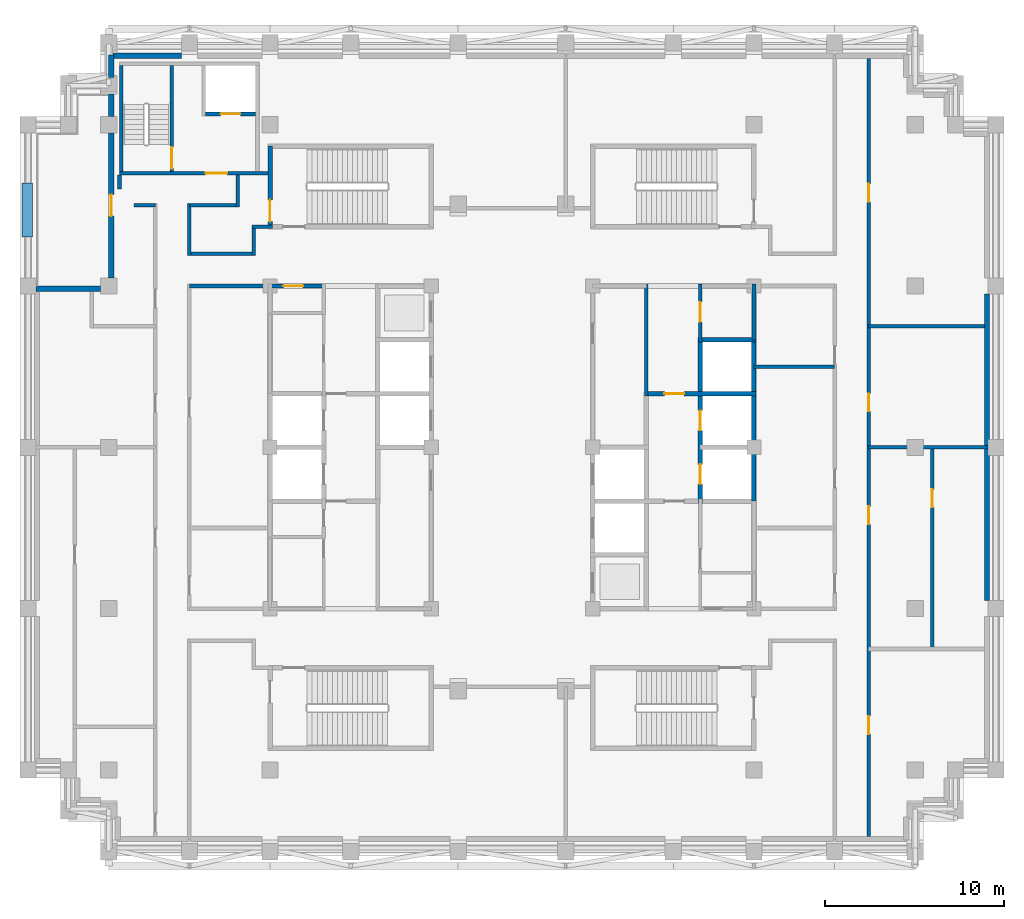
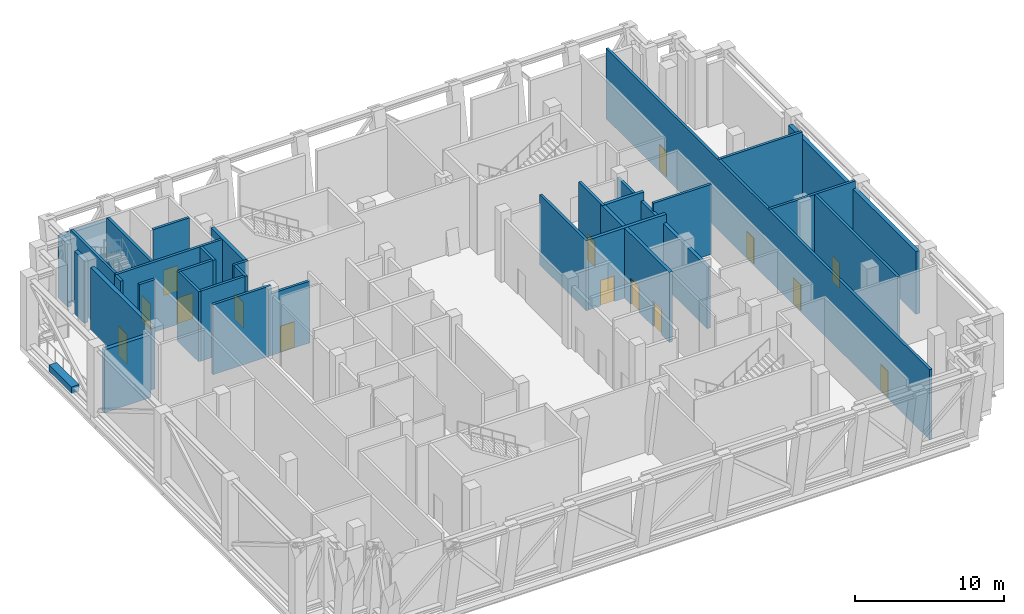
# One storey, part 6 of 11: 35 walls, 15 doors, 15 openings.
"""IFC4 building model written with IfcOpenShell, lengths in metres."""

from ifc_helpers import new_model, si_unit, direction, frame, frame_2d, origin, place, context, subcontext, project, spatial, rectangle, extrude, material, layer, layer_set, type_object, element, fill, save


model = new_model("IFC4")

# Units and contexts
model_context = context("Model", 3, precision=1e-05, world=origin(), true_north=direction((0.0, 1.0)))
body_context = subcontext(model_context, "Body", "Model", "MODEL_VIEW")
ifc_project = project(units=[si_unit("LENGTHUNIT", "METRE"), si_unit("AREAUNIT", "SQUARE_METRE"), si_unit("VOLUMEUNIT", "CUBIC_METRE"), si_unit("PLANEANGLEUNIT", "RADIAN"), si_unit("MASSUNIT", "GRAM", prefix="KILO")], contexts=[model_context])

# Site, building, storey
site_placement = place(None, origin())
site = spatial("IfcSite", under=ifc_project, at=site_placement, CompositionType="ELEMENT")
building_placement = place(site_placement, origin())
building = spatial("IfcBuilding", under=site, at=building_placement, Name="Corbelhall Arena Tower", CompositionType="ELEMENT")
storey_placement = place(building_placement, frame((0.0, 0.0, 294.0)))
storey = spatial("IfcBuildingStorey", under=building, at=storey_placement, Name="L64", CompositionType="ELEMENT", Elevation=294.0)

# Walls
ifc_material_1 = material(Name="Precast concrete C40/50 with granite facing", Category="masonry")
ifc_layer_1 = layer(ifc_material_1, 0.300048828125)
ifc_layer_set_1 = layer_set([ifc_layer_1], Name="EV-IW1 Infill panel 300")
wall_type_1 = type_object("IfcWallType", Name="EV-IW1 Infill panel 300", PredefinedType="SOLIDWALL", material=ifc_layer_set_1)
for number, where, z_axis, x_axis, name in (
    (1, (26.5, -8.550048828125, 0.0), (0.0, 0.0, 1.0), (0.0, 1.0, 0.0), "Infill panel IW1"),
    (2, (26.5, 0.050048828125, 0.0), (0.0, 0.0, 1.0), (0.0, 1.0, 0.0), "Infill panel IW1"),
):
    element("IfcWall", number, at=place(storey_placement, frame(where, z_axis=z_axis, x_axis=x_axis)), inside=storey, type_object=wall_type_1, Name=name, PredefinedType="SOLIDWALL", context=body_context, shape_type="SweptSolid", body=[
        extrude(rectangle(XDim=8.5, YDim=0.300048828125, at=frame_2d((4.25, 0.0))), origin(), (0.0, 0.0, 1.0), 5.139892578125),
    ])
wall_1_placement = place(storey_placement, frame((-18.449951171875, 21.85009765625, 0.0), z_axis=(0.0, 0.0, 1.0), x_axis=(-1.0, 0.0, 0.0)))
element("IfcWall", 3, at=wall_1_placement, inside=storey, type_object=wall_type_1, Name="Infill panel IW1", PredefinedType="SOLIDWALL", context=body_context, shape_type="SweptSolid", body=[
    extrude(rectangle(XDim=3.800048828125, YDim=0.300048828125, at=frame_2d((1.89990234375, 0.0))), origin(), (0.0, 0.0, 1.0), 5.139892578125),
])

# Wall, opening, door
wall_2_placement = place(storey_placement, frame((-22.35009765625, 9.449951171875, 0.0), z_axis=(0.0, 0.0, 1.0), x_axis=(0.0, 1.0, 0.0)))
wall_2 = element("IfcWall", 4, at=wall_2_placement, inside=storey, type_object=wall_type_1, Name="Infill panel IW1", PredefinedType="SOLIDWALL", context=body_context, shape_type="SweptSolid", body=[
    extrude(rectangle(XDim=8.10009765625, YDim=0.300048828125, at=frame_2d((4.050048828125, 0.0))), origin(), (0.0, 0.0, 1.0), 5.139892578125),
])
opening_1_placement = place(wall_2_placement, frame((3.449951171875, 0.0, 0.0)))
opening_1 = element("IfcOpeningElement", 5, at=opening_1_placement, cuts=wall_2, Name="Opening ED1", PredefinedType="OPENING", context=body_context, shape_type="SweptSolid", body=[
    extrude(rectangle(XDim=1.199951171875, YDim=2.39990234375, at=frame_2d((0.60009765625, 1.199951171875))), frame((0.0, 0.14990234375, 0.0), z_axis=(0.0, -1.0, 0.0), x_axis=(1.0, 0.0, 0.0)), (0.0, 0.0, 1.0), 0.300048828125),
])
ifc_material_2 = material(Name="Aluminium black anodised", Category="aluminium")
door_type_1 = type_object("IfcDoorType", Name="EV-ED1 Terrace door", OperationType="SINGLE_SWING_LEFT", PredefinedType="DOOR", material=ifc_material_2)
door_1_placement = place(opening_1_placement, origin())
door_1 = element("IfcDoor", 6, at=door_1_placement, inside=storey, type_object=door_type_1, Name="Terrace door", OperationType="SINGLE_SWING_LEFT", OverallHeight=2.39990234375, OverallWidth=1.199951171875, PredefinedType="DOOR", context=body_context, shape_type="SweptSolid", body=[
    extrude(rectangle(XDim=1.199951171875, YDim=2.39990234375, at=frame_2d((0.60009765625, 1.199951171875))), frame((0.0, 0.02490234375, 0.0), z_axis=(0.0, -1.0, 0.0), x_axis=(1.0, 0.0, 0.0)), (0.0, 0.0, 1.0), 0.050048828125),
])
fill(opening_1, door_1)

# Walls
wall_3_placement = place(storey_placement, frame((-22.35009765625, 19.72509765625, 0.0), z_axis=(0.0, 0.0, 1.0), x_axis=(0.0, -1.0, 0.0)))
element("IfcWall", 7, at=wall_3_placement, inside=storey, type_object=wall_type_1, Name="Infill panel IW1", PredefinedType="SOLIDWALL", context=body_context, shape_type="SweptSolid", body=[
    extrude(rectangle(XDim=1.275146484375, YDim=0.300048828125, at=frame_2d((0.6376953125, 0.0))), origin(), (0.0, 0.0, 1.0), 5.139892578125),
])
wall_4_placement = place(storey_placement, frame((-22.35009765625, 21.89990234375, 0.0), z_axis=(0.0, 0.0, 1.0), x_axis=(0.0, -1.0, 0.0)))
element("IfcWall", 8, at=wall_4_placement, inside=storey, type_object=wall_type_1, Name="Infill panel IW1", PredefinedType="SOLIDWALL", context=body_context, shape_type="SweptSolid", body=[
    extrude(rectangle(XDim=1.27490234375, YDim=0.300048828125, at=frame_2d((0.637451171875, 0.0))), origin(), (0.0, 0.0, 1.0), 5.139892578125),
])
wall_5_placement = place(storey_placement, frame((-22.949951171875, 8.85009765625, 0.0), z_axis=(0.0, 0.0, 1.0), x_axis=(-1.0, 0.0, 0.0)))
element("IfcWall", 9, at=wall_5_placement, inside=storey, type_object=wall_type_1, Name="Infill panel IW1", PredefinedType="SOLIDWALL", context=body_context, shape_type="SweptSolid", body=[
    extrude(rectangle(XDim=3.60009765625, YDim=0.300048828125, at=frame_2d((1.800048828125, 0.0))), origin(), (0.0, 0.0, 1.0), 5.139892578125),
])
ifc_layer_2 = layer(ifc_material_1, 0.60009765625)
ifc_layer_set_2 = layer_set([ifc_layer_2], Name="EV-PL1 Planter box")
wall_type_2 = type_object("IfcWallType", Name="EV-PL1 Planter box", PredefinedType="SOLIDWALL", material=ifc_layer_set_2)
wall_6_placement = place(storey_placement, frame((-27.0400390625, 11.7451171875, 0.0), z_axis=(0.0, 0.0, 1.0), x_axis=(0.0, 1.0, 0.0)))
element("IfcWall", 10, at=wall_6_placement, inside=storey, type_object=wall_type_2, Name="PLANTER", PredefinedType="SOLIDWALL", context=body_context, shape_type="SweptSolid", body=[
    extrude(rectangle(XDim=3.0, YDim=0.60009765625, at=frame_2d((1.5, 0.0))), origin(), (0.0, 0.0, 1.0), 0.5400390625),
])
ifc_material_3 = material(Name="Gypsum board on steel stud, acoustic", Category="steel")
ifc_layer_3 = layer(ifc_material_3, 0.199951171875)
ifc_layer_set_3 = layer_set([ifc_layer_3], Name="IN-W-DM200")
wall_type_3 = type_object("IfcWallType", Name="IN-W-DM200", PredefinedType="PARTITIONING", material=ifc_layer_set_3)
wall_7_placement = place(storey_placement, frame((-21.89990234375, 14.39990234375, 0.0), z_axis=(0.0, 0.0, 1.0), x_axis=(0.0, 1.0, 0.0)))
element("IfcWall", 11, at=wall_7_placement, inside=storey, type_object=wall_type_3, Name="Partition 006", PredefinedType="PARTITIONING", context=body_context, shape_type="SweptSolid", body=[
    extrude(rectangle(XDim=0.800048828125, YDim=0.199951171875, at=frame_2d((0.39990234375, 0.0))), origin(), (0.0, 0.0, 1.0), 5.739990234375),
])
wall_8_placement = place(storey_placement, frame((-19.89990234375, 13.5, 0.0), z_axis=(0.0, 0.0, 1.0), x_axis=(-1.0, 0.0, 0.0)))
element("IfcWall", 12, at=wall_8_placement, inside=storey, type_object=wall_type_3, Name="Partition 008", PredefinedType="PARTITIONING", context=body_context, shape_type="SweptSolid", body=[
    extrude(rectangle(XDim=1.2001953125, YDim=0.199951171875, at=frame_2d((0.60009765625, 0.0))), origin(), (0.0, 0.0, 1.0), 5.739990234375),
])
wall_9_placement = place(storey_placement, frame((-18.0, 10.800048828125, 0.0), z_axis=(0.0, 0.0, 1.0), x_axis=(1.0, 0.0, 0.0)))
element("IfcWall", 13, at=wall_9_placement, inside=storey, type_object=wall_type_3, Name="Partition 013", PredefinedType="PARTITIONING", context=body_context, shape_type="SweptSolid", body=[
    extrude(rectangle(XDim=3.60009765625, YDim=0.199951171875, at=frame_2d((1.800048828125, 0.0))), origin(), (0.0, 0.0, 1.0), 5.739990234375),
])
wall_10_placement = place(storey_placement, frame((-18.0, 13.60009765625, 0.0), z_axis=(0.0, 0.0, 1.0), x_axis=(0.0, -1.0, 0.0)))
element("IfcWall", 14, at=wall_10_placement, inside=storey, type_object=wall_type_3, Name="Partition 014", PredefinedType="PARTITIONING", context=body_context, shape_type="SweptSolid", body=[
    extrude(rectangle(XDim=2.900146484375, YDim=0.199951171875, at=frame_2d((1.4501953125, 0.0))), origin(), (0.0, 0.0, 1.0), 5.739990234375),
])
wall_11_placement = place(storey_placement, frame((-15.300048828125, 13.5, 0.0), z_axis=(0.0, 0.0, 1.0), x_axis=(-1.0, 0.0, 0.0)))
element("IfcWall", 15, at=wall_11_placement, inside=storey, type_object=wall_type_3, Name="Partition 015", PredefinedType="PARTITIONING", context=body_context, shape_type="SweptSolid", body=[
    extrude(rectangle(XDim=2.699951171875, YDim=0.199951171875, at=frame_2d((1.35009765625, 0.0))), origin(), (0.0, 0.0, 1.0), 5.739990234375),
])
wall_12_placement = place(storey_placement, frame((-15.300048828125, 15.199951171875, 0.0), z_axis=(0.0, 0.0, 1.0), x_axis=(0.0, -1.0, 0.0)))
element("IfcWall", 16, at=wall_12_placement, inside=storey, type_object=wall_type_3, Name="Partition 016", PredefinedType="PARTITIONING", context=body_context, shape_type="SweptSolid", body=[
    extrude(rectangle(XDim=1.800048828125, YDim=0.199951171875, at=frame_2d((0.89990234375, 0.0))), origin(), (0.0, 0.0, 1.0), 5.739990234375),
])
wall_13_placement = place(storey_placement, frame((-14.5, 12.300048828125, 0.0), z_axis=(0.0, 0.0, 1.0), x_axis=(1.0, 0.0, 0.0)))
element("IfcWall", 17, at=wall_13_placement, inside=storey, type_object=wall_type_3, Name="Partition 017", PredefinedType="PARTITIONING", context=body_context, shape_type="SweptSolid", body=[
    extrude(rectangle(XDim=1.125, YDim=0.199951171875, at=frame_2d((0.5625, 0.0))), origin(), (0.0, 0.0, 1.0), 5.739990234375),
])
wall_14_placement = place(storey_placement, frame((-13.5, 9.0, 0.0), z_axis=(0.0, 0.0, 1.0), x_axis=(-1.0, 0.0, 0.0)))
element("IfcWall", 18, at=wall_14_placement, inside=storey, type_object=wall_type_3, Name="Partition 020", PredefinedType="PARTITIONING", context=body_context, shape_type="SweptSolid", body=[
    extrude(rectangle(XDim=4.5, YDim=0.199951171875, at=frame_2d((2.25, 0.0))), origin(), (0.0, 0.0, 1.0), 5.739990234375),
])
wall_15_placement = place(storey_placement, frame((-14.39990234375, 10.699951171875, 0.0), z_axis=(0.0, 0.0, 1.0), x_axis=(0.0, 1.0, 0.0)))
element("IfcWall", 19, at=wall_15_placement, inside=storey, type_object=wall_type_3, Name="Partition 021", PredefinedType="PARTITIONING", context=body_context, shape_type="SweptSolid", body=[
    extrude(rectangle(XDim=1.60009765625, YDim=0.199951171875, at=frame_2d((0.800048828125, 0.0))), origin(), (0.0, 0.0, 1.0), 5.739990234375),
])
wall_16_placement = place(storey_placement, frame((13.5, 4.5, 0.0), z_axis=(0.0, 0.0, 1.0), x_axis=(1.0, 0.0, 0.0)))
element("IfcWall", 20, at=wall_16_placement, inside=storey, type_object=wall_type_3, Name="Partition 030", PredefinedType="PARTITIONING", context=body_context, shape_type="SweptSolid", body=[
    extrude(rectangle(XDim=4.5, YDim=0.199951171875, at=frame_2d((2.25, 0.0))), origin(), (0.0, 0.0, 1.0), 5.739990234375),
])

# Wall, openings, doors
wall_17_placement = place(storey_placement, frame((19.89990234375, 21.699951171875, 0.0), z_axis=(0.0, 0.0, 1.0), x_axis=(0.0, -1.0, 0.0)))
wall_17 = element("IfcWall", 21, at=wall_17_placement, inside=storey, type_object=wall_type_3, Name="Partition 041", PredefinedType="PARTITIONING", context=body_context, shape_type="SweptSolid", body=[
    extrude(rectangle(XDim=43.39990234375, YDim=0.199951171875, at=frame_2d((21.699951171875, 0.0))), origin(), (0.0, 0.0, 1.0), 5.739990234375),
])
opening_2_placement = place(wall_17_placement, frame((18.699951171875, 0.0, 0.0)))
opening_2 = element("IfcOpeningElement", 22, at=opening_2_placement, cuts=wall_17, Name="Opening 29031", PredefinedType="OPENING", context=body_context, shape_type="SweptSolid", body=[
    extrude(rectangle(XDim=1.0, YDim=2.10009765625, at=frame_2d((0.5, 1.050048828125))), frame((0.0, 0.10009765625, 0.0), z_axis=(0.0, -1.0, 0.0), x_axis=(1.0, 0.0, 0.0)), (0.0, 0.0, 1.0), 0.199951171875),
])
opening_3_placement = place(wall_17_placement, frame((7.0, 0.0, 0.0)))
opening_3 = element("IfcOpeningElement", 23, at=opening_3_placement, cuts=wall_17, Name="Opening 29032", PredefinedType="OPENING", context=body_context, shape_type="SweptSolid", body=[
    extrude(rectangle(XDim=1.0, YDim=2.10009765625, at=frame_2d((0.5, 1.050048828125))), frame((0.0, 0.10009765625, 0.0), z_axis=(0.0, -1.0, 0.0), x_axis=(1.0, 0.0, 0.0)), (0.0, 0.0, 1.0), 0.199951171875),
])
opening_4_placement = place(wall_17_placement, frame((36.699951171875, 0.0, 0.0)))
opening_4 = element("IfcOpeningElement", 24, at=opening_4_placement, cuts=wall_17, Name="Opening 29033", PredefinedType="OPENING", context=body_context, shape_type="SweptSolid", body=[
    extrude(rectangle(XDim=1.0, YDim=2.10009765625, at=frame_2d((0.5, 1.050048828125))), frame((0.0, 0.10009765625, 0.0), z_axis=(0.0, -1.0, 0.0), x_axis=(1.0, 0.0, 0.0)), (0.0, 0.0, 1.0), 0.199951171875),
])
opening_5_placement = place(wall_17_placement, frame((25.0, 0.0, 0.0)))
opening_5 = element("IfcOpeningElement", 25, at=opening_5_placement, cuts=wall_17, Name="Opening 29034", PredefinedType="OPENING", context=body_context, shape_type="SweptSolid", body=[
    extrude(rectangle(XDim=1.0, YDim=2.10009765625, at=frame_2d((0.5, 1.050048828125))), frame((0.0, 0.10009765625, 0.0), z_axis=(0.0, -1.0, 0.0), x_axis=(1.0, 0.0, 0.0)), (0.0, 0.0, 1.0), 0.199951171875),
])
ifc_material_4 = material(Name="Steel door set", Category="steel")
door_type_2 = type_object("IfcDoorType", Name="IN-D-SW100", OperationType="NOTDEFINED", PredefinedType="DOOR", material=ifc_material_4)
door_2_placement = place(opening_2_placement, origin())
door_2 = element("IfcDoor", 26, at=door_2_placement, inside=storey, type_object=door_type_2, Name="Door 031", OperationType="SINGLE_SWING_RIGHT", OverallHeight=2.10009765625, OverallWidth=1.0, PredefinedType="DOOR", context=body_context, shape_type="SweptSolid", body=[
    extrude(rectangle(XDim=1.0, YDim=2.10009765625, at=frame_2d((0.5, 1.050048828125))), frame((0.0, 0.02490234375, 0.0), z_axis=(0.0, -1.0, 0.0), x_axis=(1.0, 0.0, 0.0)), (0.0, 0.0, 1.0), 0.050048828125),
])
fill(opening_2, door_2)
door_3_placement = place(opening_3_placement, origin())
door_3 = element("IfcDoor", 27, at=door_3_placement, inside=storey, type_object=door_type_2, Name="Door 032", OperationType="SINGLE_SWING_LEFT", OverallHeight=2.10009765625, OverallWidth=1.0, PredefinedType="DOOR", context=body_context, shape_type="SweptSolid", body=[
    extrude(rectangle(XDim=1.0, YDim=2.10009765625, at=frame_2d((0.5, 1.050048828125))), frame((0.0, 0.02490234375, 0.0), z_axis=(0.0, -1.0, 0.0), x_axis=(1.0, 0.0, 0.0)), (0.0, 0.0, 1.0), 0.050048828125),
])
fill(opening_3, door_3)
door_4_placement = place(opening_4_placement, origin())
door_4 = element("IfcDoor", 28, at=door_4_placement, inside=storey, type_object=door_type_2, Name="Door 033", OperationType="SINGLE_SWING_RIGHT", OverallHeight=2.10009765625, OverallWidth=1.0, PredefinedType="DOOR", context=body_context, shape_type="SweptSolid", body=[
    extrude(rectangle(XDim=1.0, YDim=2.10009765625, at=frame_2d((0.5, 1.050048828125))), frame((0.0, 0.02490234375, 0.0), z_axis=(0.0, -1.0, 0.0), x_axis=(1.0, 0.0, 0.0)), (0.0, 0.0, 1.0), 0.050048828125),
])
fill(opening_4, door_4)
door_5_placement = place(opening_5_placement, origin())
door_5 = element("IfcDoor", 29, at=door_5_placement, inside=storey, type_object=door_type_2, Name="Door 034", OperationType="SINGLE_SWING_LEFT", OverallHeight=2.10009765625, OverallWidth=1.0, PredefinedType="DOOR", context=body_context, shape_type="SweptSolid", body=[
    extrude(rectangle(XDim=1.0, YDim=2.10009765625, at=frame_2d((0.5, 1.050048828125))), frame((0.0, 0.02490234375, 0.0), z_axis=(0.0, -1.0, 0.0), x_axis=(1.0, 0.0, 0.0)), (0.0, 0.0, 1.0), 0.050048828125),
])
fill(opening_5, door_5)

# Wall
wall_18_placement = place(storey_placement, frame((19.89990234375, 6.75, 0.0), z_axis=(0.0, 0.0, 1.0), x_axis=(1.0, 0.0, 0.0)))
element("IfcWall", 30, at=wall_18_placement, inside=storey, type_object=wall_type_3, Name="Partition 042", PredefinedType="PARTITIONING", context=body_context, shape_type="SweptSolid", body=[
    extrude(rectangle(XDim=6.4501953125, YDim=0.199951171875, at=frame_2d((3.22509765625, 0.0))), origin(), (0.0, 0.0, 1.0), 5.739990234375),
])

# Wall, opening, door
wall_19_placement = place(storey_placement, frame((23.449951171875, 0.0, 0.0), z_axis=(0.0, 0.0, 1.0), x_axis=(0.0, -1.0, 0.0)))
wall_19 = element("IfcWall", 31, at=wall_19_placement, inside=storey, type_object=wall_type_3, Name="Partition 043", PredefinedType="PARTITIONING", context=body_context, shape_type="SweptSolid", body=[
    extrude(rectangle(XDim=11.25, YDim=0.199951171875, at=frame_2d((5.625, 0.0))), origin(), (0.0, 0.0, 1.0), 5.739990234375),
])
opening_6_placement = place(wall_19_placement, frame((2.35009765625, 0.0, 0.0)))
opening_6 = element("IfcOpeningElement", 32, at=opening_6_placement, cuts=wall_19, Name="Opening 29035", PredefinedType="OPENING", context=body_context, shape_type="SweptSolid", body=[
    extrude(rectangle(XDim=1.0, YDim=2.10009765625, at=frame_2d((0.5, 1.050048828125))), frame((0.0, 0.10009765625, 0.0), z_axis=(0.0, -1.0, 0.0), x_axis=(1.0, 0.0, 0.0)), (0.0, 0.0, 1.0), 0.199951171875),
])
door_6_placement = place(opening_6_placement, origin())
door_6 = element("IfcDoor", 33, at=door_6_placement, inside=storey, type_object=door_type_2, Name="Door 035", OperationType="SINGLE_SWING_RIGHT", OverallHeight=2.10009765625, OverallWidth=1.0, PredefinedType="DOOR", context=body_context, shape_type="SweptSolid", body=[
    extrude(rectangle(XDim=1.0, YDim=2.10009765625, at=frame_2d((0.5, 1.050048828125))), frame((0.0, 0.02490234375, 0.0), z_axis=(0.0, -1.0, 0.0), x_axis=(1.0, 0.0, 0.0)), (0.0, 0.0, 1.0), 0.050048828125),
])
fill(opening_6, door_6)

# Wall
wall_20_placement = place(storey_placement, frame((26.550048828125, 0.0, 0.0), z_axis=(0.0, 0.0, 1.0), x_axis=(-1.0, 0.0, 0.0)))
element("IfcWall", 34, at=wall_20_placement, inside=storey, type_object=wall_type_3, Name="Partition 044", PredefinedType="PARTITIONING", context=body_context, shape_type="SweptSolid", body=[
    extrude(rectangle(XDim=6.650146484375, YDim=0.199951171875, at=frame_2d((3.3251953125, 0.0))), origin(), (0.0, 0.0, 1.0), 5.739990234375),
])

# Wall, opening, door
ifc_material_5 = material(Name="Concrete C40/50", Category="concrete")
ifc_layer_4 = layer(ifc_material_5, 0.199951171875)
ifc_layer_set_4 = layer_set([ifc_layer_4], Name="IN-W-EAR200")
wall_type_4 = type_object("IfcWallType", Name="IN-W-EAR200", PredefinedType="SOLIDWALL", material=ifc_layer_set_4)
wall_21_placement = place(storey_placement, frame((-21.89990234375, 15.300048828125, 0.0), z_axis=(0.0, 0.0, 1.0), x_axis=(1.0, 0.0, 0.0)))
wall_21 = element("IfcWall", 35, at=wall_21_placement, inside=storey, type_object=wall_type_4, Name="Fire service turret wall south", PredefinedType="SOLIDWALL", context=body_context, shape_type="SweptSolid", body=[
    extrude(rectangle(XDim=8.27490234375, YDim=0.199951171875, at=frame_2d((4.137451171875, 0.0))), origin(), (0.0, 0.0, 1.0), 5.739990234375),
])
opening_7_placement = place(wall_21_placement, frame((4.800048828125, 0.0, 0.0)))
opening_7 = element("IfcOpeningElement", 36, at=opening_7_placement, cuts=wall_21, Name="Opening E292", PredefinedType="OPENING", context=body_context, shape_type="SweptSolid", body=[
    extrude(rectangle(XDim=1.199951171875, YDim=2.10009765625, at=frame_2d((0.60009765625, 1.050048828125))), frame((0.0, 0.10009765625, 0.0), z_axis=(0.0, -1.0, 0.0), x_axis=(1.0, 0.0, 0.0)), (0.0, 0.0, 1.0), 0.199951171875),
])
door_type_3 = type_object("IfcDoorType", Name="IN-D-ST120", OperationType="NOTDEFINED", PredefinedType="DOOR", material=ifc_material_4)
door_7_placement = place(opening_7_placement, origin())
door_7 = element("IfcDoor", 37, at=door_7_placement, inside=storey, type_object=door_type_3, Name="Door from fire service lift lobby to circulation", OperationType="SINGLE_SWING_RIGHT", OverallHeight=2.10009765625, OverallWidth=1.199951171875, PredefinedType="DOOR", context=body_context, shape_type="SweptSolid", body=[
    extrude(rectangle(XDim=1.199951171875, YDim=2.10009765625, at=frame_2d((0.60009765625, 1.050048828125))), frame((0.0, 0.02490234375, 0.0), z_axis=(0.0, -1.0, 0.0), x_axis=(1.0, 0.0, 0.0)), (0.0, 0.0, 1.0), 0.050048828125),
])
fill(opening_7, door_7)

# Wall
wall_22_placement = place(storey_placement, frame((-21.800048828125, 15.39990234375, 0.0), z_axis=(0.0, 0.0, 1.0), x_axis=(0.0, 1.0, 0.0)))
element("IfcWall", 38, at=wall_22_placement, inside=storey, type_object=wall_type_4, Name="Fire service turret wall west", PredefinedType="SOLIDWALL", context=body_context, shape_type="SweptSolid", body=[
    extrude(rectangle(XDim=5.900146484375, YDim=0.199951171875, at=frame_2d((2.9501953125, 0.0))), origin(), (0.0, 0.0, 1.0), 5.739990234375),
])

# Wall, opening, door
wall_23_placement = place(storey_placement, frame((-18.989990234375, 15.39990234375, 0.0), z_axis=(0.0, 0.0, 1.0), x_axis=(0.0, 1.0, 0.0)))
wall_23 = element("IfcWall", 39, at=wall_23_placement, inside=storey, type_object=wall_type_4, Name="Fire service turret wall stair", PredefinedType="SOLIDWALL", context=body_context, shape_type="SweptSolid", body=[
    extrude(rectangle(XDim=5.900146484375, YDim=0.199951171875, at=frame_2d((2.9501953125, 0.0))), origin(), (0.0, 0.0, 1.0), 5.739990234375),
])
opening_8_placement = place(wall_23_placement, frame((0.14990234375, 0.0, 0.0)))
opening_8 = element("IfcOpeningElement", 40, at=opening_8_placement, cuts=wall_23, Name="Opening E291", PredefinedType="OPENING", context=body_context, shape_type="SweptSolid", body=[
    extrude(rectangle(XDim=1.199951171875, YDim=2.10009765625, at=frame_2d((0.60009765625, 1.050048828125))), frame((0.0, 0.10009765625, 0.0), z_axis=(0.0, -1.0, 0.0), x_axis=(1.0, 0.0, 0.0)), (0.0, 0.0, 1.0), 0.199951171875),
])
door_8_placement = place(opening_8_placement, origin())
door_8 = element("IfcDoor", 41, at=door_8_placement, inside=storey, type_object=door_type_3, Name="Stair door to fire service lobby", OperationType="SINGLE_SWING_LEFT", OverallHeight=2.10009765625, OverallWidth=1.199951171875, PredefinedType="DOOR", context=body_context, shape_type="SweptSolid", body=[
    extrude(rectangle(XDim=1.199951171875, YDim=2.10009765625, at=frame_2d((0.60009765625, 1.050048828125))), frame((0.0, 0.02490234375, 0.0), z_axis=(0.0, -1.0, 0.0), x_axis=(1.0, 0.0, 0.0)), (0.0, 0.0, 1.0), 0.050048828125),
])
fill(opening_8, door_8)

wall_24_placement = place(storey_placement, frame((-17.10009765625, 18.60009765625, 0.0), z_axis=(0.0, 0.0, 1.0), x_axis=(1.0, 0.0, 0.0)))
wall_24 = element("IfcWall", 42, at=wall_24_placement, inside=storey, type_object=wall_type_4, Name="Fire service turret wall hoistway south", PredefinedType="SOLIDWALL", context=body_context, shape_type="SweptSolid", body=[
    extrude(rectangle(XDim=2.800048828125, YDim=0.199951171875, at=frame_2d((1.39990234375, 0.0))), origin(), (0.0, 0.0, 1.0), 5.739990234375),
])
opening_9_placement = place(wall_24_placement, frame((0.85009765625, 0.0, 0.0)))
opening_9 = element("IfcOpeningElement", 43, at=opening_9_placement, cuts=wall_24, Name="Opening LD", PredefinedType="OPENING", context=body_context, shape_type="SweptSolid", body=[
    extrude(rectangle(XDim=1.10009765625, YDim=2.10009765625, at=frame_2d((0.550048828125, 1.050048828125))), frame((0.0, 0.10009765625, 0.0), z_axis=(0.0, -1.0, 0.0), x_axis=(1.0, 0.0, 0.0)), (0.0, 0.0, 1.0), 0.199951171875),
])
door_type_4 = type_object("IfcDoorType", Name="IN-D-LD110", OperationType="NOTDEFINED", PredefinedType="DOOR", material=ifc_material_4)
door_9_placement = place(opening_9_placement, origin())
door_9 = element("IfcDoor", 44, at=door_9_placement, inside=storey, type_object=door_type_4, Name="Landing door FS1", OperationType="SLIDING_TO_LEFT", OverallHeight=2.10009765625, OverallWidth=1.10009765625, PredefinedType="DOOR", context=body_context, shape_type="SweptSolid", body=[
    extrude(rectangle(XDim=1.10009765625, YDim=2.10009765625, at=frame_2d((0.550048828125, 1.050048828125))), frame((0.0, 0.02490234375, 0.0), z_axis=(0.0, -1.0, 0.0), x_axis=(1.0, 0.0, 0.0)), (0.0, 0.0, 1.0), 0.050048828125),
])
fill(opening_9, door_9)

# Wall
ifc_material_6 = material(Name="Concrete block wall", Category="concrete")
ifc_layer_5 = layer(ifc_material_6, 0.199951171875)
ifc_layer_set_5 = layer_set([ifc_layer_5], Name="IN-W-RS200")
wall_type_5 = type_object("IfcWallType", Name="IN-W-RS200", PredefinedType="SOLIDWALL", material=ifc_layer_set_5)
wall_25_placement = place(storey_placement, frame((7.5, 9.10009765625, 0.0), z_axis=(0.0, 0.0, 1.0), x_axis=(0.0, -1.0, 0.0)))
element("IfcWall", 45, at=wall_25_placement, inside=storey, type_object=wall_type_5, Name="Partition 055", PredefinedType="SOLIDWALL", context=body_context, shape_type="SweptSolid", body=[
    extrude(rectangle(XDim=6.22509765625, YDim=0.199951171875, at=frame_2d((3.112548828125, 0.0))), origin(), (0.0, 0.0, 1.0), 5.739990234375),
])

# Wall, opening, door
wall_26_placement = place(storey_placement, frame((10.5, 9.10009765625, 0.0), z_axis=(0.0, 0.0, 1.0), x_axis=(0.0, -1.0, 0.0)))
wall_26 = element("IfcWall", 46, at=wall_26_placement, inside=storey, type_object=wall_type_5, Name="Partition 058", PredefinedType="SOLIDWALL", context=body_context, shape_type="SweptSolid", body=[
    extrude(rectangle(XDim=3.22509765625, YDim=0.199951171875, at=frame_2d((1.612548828125, 0.0))), origin(), (0.0, 0.0, 1.0), 5.739990234375),
])
opening_10_placement = place(wall_26_placement, frame((1.0, 0.0, 0.0)))
opening_10 = element("IfcOpeningElement", 47, at=opening_10_placement, cuts=wall_26, Name="Opening 29012", PredefinedType="OPENING", context=body_context, shape_type="SweptSolid", body=[
    extrude(rectangle(XDim=1.10009765625, YDim=2.10009765625, at=frame_2d((0.550048828125, 1.050048828125))), frame((0.0, 0.10009765625, 0.0), z_axis=(0.0, -1.0, 0.0), x_axis=(1.0, 0.0, 0.0)), (0.0, 0.0, 1.0), 0.199951171875),
])
door_type_5 = type_object("IfcDoorType", Name="IN-D-FD110", OperationType="NOTDEFINED", PredefinedType="DOOR", material=ifc_material_4)
door_10_placement = place(opening_10_placement, origin())
door_10 = element("IfcDoor", 48, at=door_10_placement, inside=storey, type_object=door_type_5, Name="Door 012", OperationType="SINGLE_SWING_LEFT", OverallHeight=2.10009765625, OverallWidth=1.10009765625, PredefinedType="DOOR", context=body_context, shape_type="SweptSolid", body=[
    extrude(rectangle(XDim=1.10009765625, YDim=2.10009765625, at=frame_2d((0.550048828125, 1.050048828125))), frame((0.0, 0.02490234375, 0.0), z_axis=(0.0, -1.0, 0.0), x_axis=(1.0, 0.0, 0.0)), (0.0, 0.0, 1.0), 0.050048828125),
])
fill(opening_10, door_10)

ifc_layer_6 = layer(ifc_material_6, 0.199951171875)
ifc_layer_set_6 = layer_set([ifc_layer_6], Name="IN-W-RS200 under beam 678 mm")
wall_type_6 = type_object("IfcWallType", Name="IN-W-RS200 under beam 678 mm", PredefinedType="SOLIDWALL", material=ifc_layer_set_6)
wall_27_placement = place(storey_placement, frame((-13.60009765625, 9.0, 0.0), z_axis=(0.0, 0.0, 1.0), x_axis=(1.0, 0.0, 0.0)))
wall_27 = element("IfcWall", 49, at=wall_27_placement, inside=storey, type_object=wall_type_6, Name="Partition 045", PredefinedType="SOLIDWALL", context=body_context, shape_type="SweptSolid", body=[
    extrude(rectangle(XDim=3.10009765625, YDim=0.199951171875, at=frame_2d((1.550048828125, 0.0))), origin(), (0.0, 0.0, 1.0), 5.061767578125),
])
opening_11_placement = place(wall_27_placement, frame((0.85009765625, 0.0, 0.0)))
opening_11 = element("IfcOpeningElement", 50, at=opening_11_placement, cuts=wall_27, Name="Opening 29006", PredefinedType="OPENING", context=body_context, shape_type="SweptSolid", body=[
    extrude(rectangle(XDim=1.10009765625, YDim=2.10009765625, at=frame_2d((0.550048828125, 1.050048828125))), frame((0.0, 0.10009765625, 0.0), z_axis=(0.0, -1.0, 0.0), x_axis=(1.0, 0.0, 0.0)), (0.0, 0.0, 1.0), 0.199951171875),
])
door_11_placement = place(opening_11_placement, origin())
door_11 = element("IfcDoor", 51, at=door_11_placement, inside=storey, type_object=door_type_5, Name="Door 006", OperationType="SINGLE_SWING_LEFT", OverallHeight=2.10009765625, OverallWidth=1.10009765625, PredefinedType="DOOR", context=body_context, shape_type="SweptSolid", body=[
    extrude(rectangle(XDim=1.10009765625, YDim=2.10009765625, at=frame_2d((0.550048828125, 1.050048828125))), frame((0.0, 0.02490234375, 0.0), z_axis=(0.0, -1.0, 0.0), x_axis=(1.0, 0.0, 0.0)), (0.0, 0.0, 1.0), 0.050048828125),
])
fill(opening_11, door_11)

# Wall
wall_28_placement = place(storey_placement, frame((13.5, 9.10009765625, 0.0), z_axis=(0.0, 0.0, 1.0), x_axis=(0.0, -1.0, 0.0)))
element("IfcWall", 52, at=wall_28_placement, inside=storey, type_object=wall_type_6, Name="Partition 060", PredefinedType="SOLIDWALL", context=body_context, shape_type="SweptSolid", body=[
    extrude(rectangle(XDim=3.10009765625, YDim=0.199951171875, at=frame_2d((1.550048828125, 0.0))), origin(), (0.0, 0.0, 1.0), 5.061767578125),
])

# Wall, opening, door
ifc_layer_7 = layer(ifc_material_5, 0.25)
ifc_layer_set_7 = layer_set([ifc_layer_7], Name="IN-W-SH250")
wall_type_7 = type_object("IfcWallType", Name="IN-W-SH250", PredefinedType="SOLIDWALL", material=ifc_layer_set_7)
wall_29_placement = place(storey_placement, frame((7.5, 3.0, 0.0), z_axis=(0.0, 0.0, 1.0), x_axis=(1.0, 0.0, 0.0)))
wall_29 = element("IfcWall", 53, at=wall_29_placement, inside=storey, type_object=wall_type_7, Name="Shaft wall 077", PredefinedType="SOLIDWALL", context=body_context, shape_type="SweptSolid", body=[
    extrude(rectangle(XDim=6.125, YDim=0.25, at=frame_2d((3.0625, 0.0))), origin(), (0.0, 0.0, 1.0), 5.739990234375),
])
opening_12_placement = place(wall_29_placement, frame((1.0, 0.0, 0.0)))
opening_12 = element("IfcOpeningElement", 54, at=opening_12_placement, cuts=wall_29, Name="Opening 29009", PredefinedType="OPENING", context=body_context, shape_type="SweptSolid", body=[
    extrude(rectangle(XDim=1.10009765625, YDim=2.10009765625, at=frame_2d((0.550048828125, 1.050048828125))), frame((0.0, 0.125, 0.0), z_axis=(0.0, -1.0, 0.0), x_axis=(1.0, 0.0, 0.0)), (0.0, 0.0, 1.0), 0.25),
])
door_12_placement = place(opening_12_placement, origin())
door_12 = element("IfcDoor", 55, at=door_12_placement, inside=storey, type_object=door_type_5, Name="Door 009", OperationType="SINGLE_SWING_RIGHT", OverallHeight=2.10009765625, OverallWidth=1.10009765625, PredefinedType="DOOR", context=body_context, shape_type="SweptSolid", body=[
    extrude(rectangle(XDim=1.10009765625, YDim=2.10009765625, at=frame_2d((0.550048828125, 1.050048828125))), frame((0.0, 0.02490234375, 0.0), z_axis=(0.0, -1.0, 0.0), x_axis=(1.0, 0.0, 0.0)), (0.0, 0.0, 1.0), 0.050048828125),
])
fill(opening_12, door_12)

# Wall, openings, doors
wall_30_placement = place(storey_placement, frame((10.5, 6.125, 0.0), z_axis=(0.0, 0.0, 1.0), x_axis=(0.0, -1.0, 0.0)))
wall_30 = element("IfcWall", 56, at=wall_30_placement, inside=storey, type_object=wall_type_7, Name="Shaft wall 079", PredefinedType="SOLIDWALL", context=body_context, shape_type="SweptSolid", body=[
    extrude(rectangle(XDim=9.25, YDim=0.25, at=frame_2d((4.625, 0.0))), origin(), (0.0, 0.0, 1.0), 5.739990234375),
])
opening_13_placement = place(wall_30_placement, frame((7.074951171875, 0.0, 0.0)))
opening_13 = element("IfcOpeningElement", 57, at=opening_13_placement, cuts=wall_30, Name="Opening LD", PredefinedType="OPENING", context=body_context, shape_type="SweptSolid", body=[
    extrude(rectangle(XDim=1.10009765625, YDim=2.10009765625, at=frame_2d((0.550048828125, 1.050048828125))), frame((0.0, 0.125, 0.0), z_axis=(0.0, -1.0, 0.0), x_axis=(1.0, 0.0, 0.0)), (0.0, 0.0, 1.0), 0.25),
])
opening_14_placement = place(wall_30_placement, frame((4.074951171875, 0.0, 0.0)))
opening_14 = element("IfcOpeningElement", 58, at=opening_14_placement, cuts=wall_30, Name="Opening LD", PredefinedType="OPENING", context=body_context, shape_type="SweptSolid", body=[
    extrude(rectangle(XDim=1.10009765625, YDim=2.10009765625, at=frame_2d((0.550048828125, 1.050048828125))), frame((0.0, 0.125, 0.0), z_axis=(0.0, -1.0, 0.0), x_axis=(1.0, 0.0, 0.0)), (0.0, 0.0, 1.0), 0.25),
])
door_13_placement = place(opening_13_placement, origin())
door_13 = element("IfcDoor", 59, at=door_13_placement, inside=storey, type_object=door_type_4, Name="Landing door E3", OperationType="SLIDING_TO_LEFT", OverallHeight=2.10009765625, OverallWidth=1.10009765625, PredefinedType="DOOR", context=body_context, shape_type="SweptSolid", body=[
    extrude(rectangle(XDim=1.10009765625, YDim=2.10009765625, at=frame_2d((0.550048828125, 1.050048828125))), frame((0.0, 0.02490234375, 0.0), z_axis=(0.0, -1.0, 0.0), x_axis=(1.0, 0.0, 0.0)), (0.0, 0.0, 1.0), 0.050048828125),
])
fill(opening_13, door_13)
door_14_placement = place(opening_14_placement, origin())
door_14 = element("IfcDoor", 60, at=door_14_placement, inside=storey, type_object=door_type_4, Name="Landing door E4", OperationType="SLIDING_TO_LEFT", OverallHeight=2.10009765625, OverallWidth=1.10009765625, PredefinedType="DOOR", context=body_context, shape_type="SweptSolid", body=[
    extrude(rectangle(XDim=1.10009765625, YDim=2.10009765625, at=frame_2d((0.550048828125, 1.050048828125))), frame((0.0, 0.02490234375, 0.0), z_axis=(0.0, -1.0, 0.0), x_axis=(1.0, 0.0, 0.0)), (0.0, 0.0, 1.0), 0.050048828125),
])
fill(opening_14, door_14)

# Walls
wall_31_placement = place(storey_placement, frame((10.5, 6.0, 0.0), z_axis=(0.0, 0.0, 1.0), x_axis=(1.0, 0.0, 0.0)))
element("IfcWall", 61, at=wall_31_placement, inside=storey, type_object=wall_type_7, Name="Shaft wall 080", PredefinedType="SOLIDWALL", context=body_context, shape_type="SweptSolid", body=[
    extrude(rectangle(XDim=3.125, YDim=0.25, at=frame_2d((1.5625, 0.0))), origin(), (0.0, 0.0, 1.0), 5.739990234375),
])
ifc_layer_8 = layer(ifc_material_5, 0.25)
ifc_layer_set_8 = layer_set([ifc_layer_8], Name="IN-W-SH250 under beam 678 mm")
wall_type_8 = type_object("IfcWallType", Name="IN-W-SH250 under beam 678 mm", PredefinedType="SOLIDWALL", material=ifc_layer_set_8)
wall_32_placement = place(storey_placement, frame((13.5, 6.0, 0.0), z_axis=(0.0, 0.0, 1.0), x_axis=(0.0, -1.0, 0.0)))
element("IfcWall", 62, at=wall_32_placement, inside=storey, type_object=wall_type_8, Name="Shaft wall 081", PredefinedType="SOLIDWALL", context=body_context, shape_type="SweptSolid", body=[
    extrude(rectangle(XDim=9.0, YDim=0.25, at=frame_2d((4.5, 0.0))), origin(), (0.0, 0.0, 1.0), 5.061767578125),
])

# Wall, opening, door
ifc_layer_9 = layer(ifc_material_5, 0.25)
ifc_layer_set_9 = layer_set([ifc_layer_9], Name="IN-W-ST250")
wall_type_9 = type_object("IfcWallType", Name="IN-W-ST250", PredefinedType="SOLIDWALL", material=ifc_layer_set_9)
wall_33_placement = place(storey_placement, frame((-13.5, 12.300048828125, 0.0), z_axis=(0.0, 0.0, 1.0), x_axis=(0.0, 1.0, 0.0)))
wall_33 = element("IfcWall", 63, at=wall_33_placement, inside=storey, type_object=wall_type_9, Name="Shaft wall 085", PredefinedType="SOLIDWALL", context=body_context, shape_type="SweptSolid", body=[
    extrude(rectangle(XDim=4.5, YDim=0.25, at=frame_2d((2.25, 0.0))), origin(), (0.0, 0.0, 1.0), 5.739990234375),
])
opening_15_placement = place(wall_33_placement, frame((0.300048828125, 0.0, 0.0)))
opening_15 = element("IfcOpeningElement", 64, at=opening_15_placement, cuts=wall_33, Name="Opening 29022", PredefinedType="OPENING", context=body_context, shape_type="SweptSolid", body=[
    extrude(rectangle(XDim=1.199951171875, YDim=2.10009765625, at=frame_2d((0.60009765625, 1.050048828125))), frame((0.0, 0.125, 0.0), z_axis=(0.0, -1.0, 0.0), x_axis=(1.0, 0.0, 0.0)), (0.0, 0.0, 1.0), 0.25),
])
door_15_placement = place(opening_15_placement, origin())
door_15 = element("IfcDoor", 65, at=door_15_placement, inside=storey, type_object=door_type_3, Name="Door 022", OperationType="SINGLE_SWING_LEFT", OverallHeight=2.10009765625, OverallWidth=1.199951171875, PredefinedType="DOOR", context=body_context, shape_type="SweptSolid", body=[
    extrude(rectangle(XDim=1.199951171875, YDim=2.10009765625, at=frame_2d((0.60009765625, 1.050048828125))), frame((0.0, 0.02490234375, 0.0), z_axis=(0.0, -1.0, 0.0), x_axis=(1.0, 0.0, 0.0)), (0.0, 0.0, 1.0), 0.050048828125),
])
fill(opening_15, door_15)

save(model, "model.ifc")
